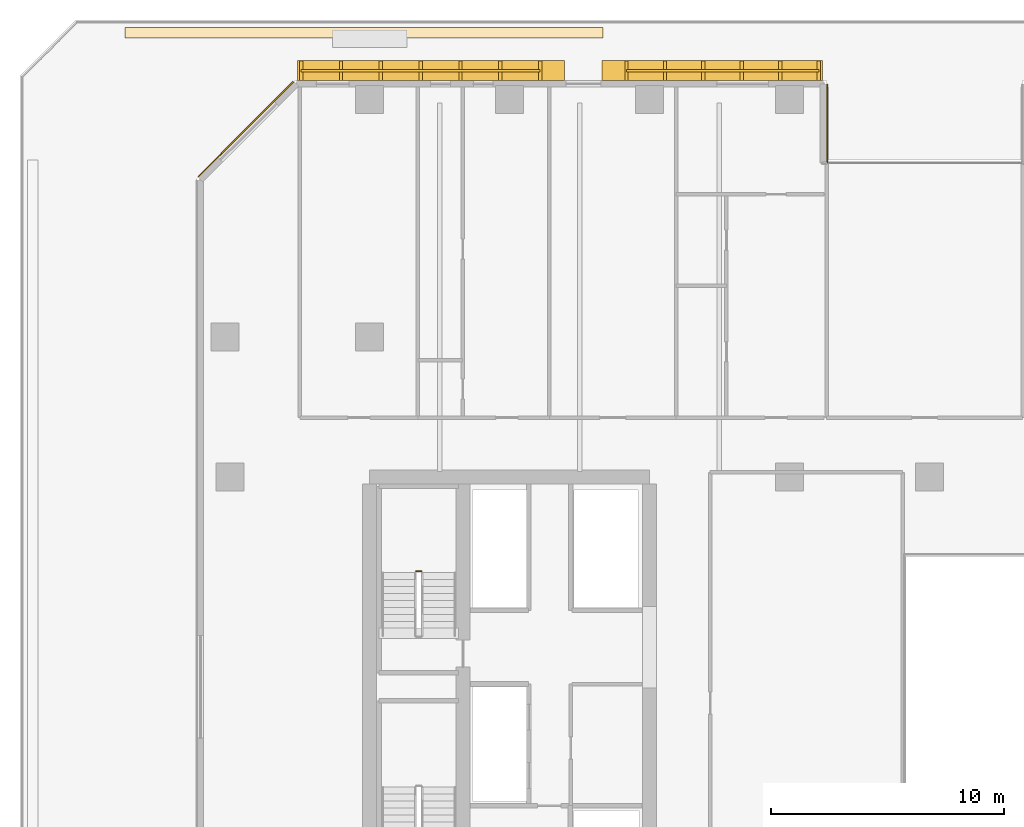
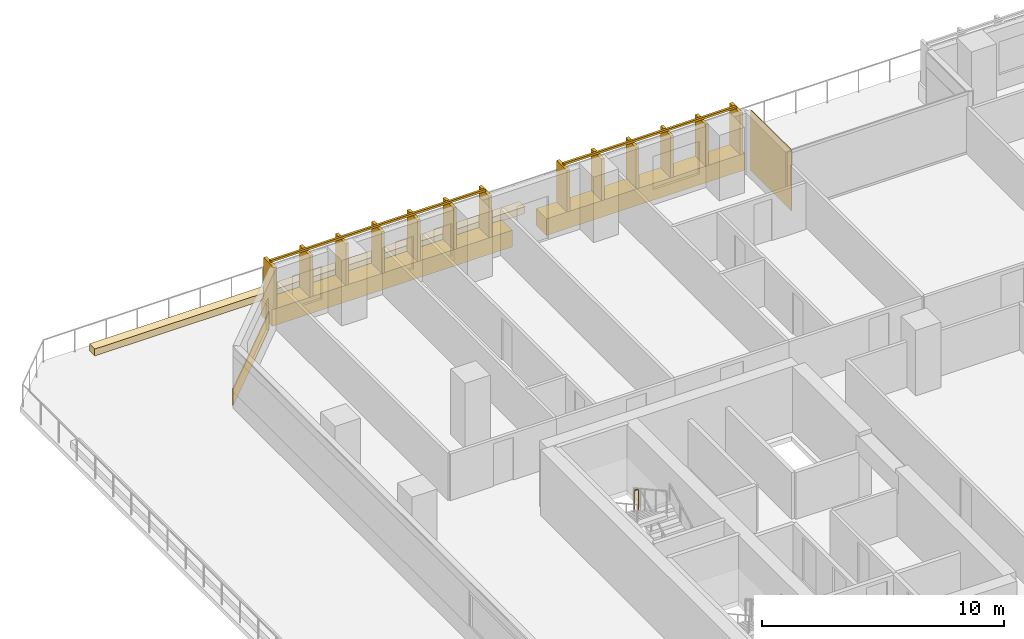
# One storey, part 18 of 23: 5 coverings, 3 railings.
"""IFC4 building model written with IfcOpenShell, lengths in metres."""

import ifcopenshell
import ifcopenshell.guid

model = None  # the IFC model being written
_history = None  # IfcOwnerHistory: only IFC2X3 demands one
_inside = {}  # id of a spatial element -> (the spatial element, [elements in it])
_under = {}  # id of a project, library or spatial element -> (it, [spatial elements below it])
_declared = {}  # id of a project -> (the project, [libraries it declares])
_typed = {}  # id of a type object -> (the type object, [elements of that type])
_made_of = {}  # id of a material, layer set ... -> (it, [elements and type objects made of it])


def new_model(schema):
    """Start an empty IFC model of exactly this schema.

    Asked for "IFC4X3", IfcOpenShell would pick the latest addendum, in which some entities
    have other attributes; the version numbers below select the first issue.
    IFC2X3 requires an IfcOwnerHistory on every rooted entity: one is made here for all.
    """
    global model, _history
    if schema == "IFC4X3":
        model = ifcopenshell.file(schema_version=(4, 3, 0, 0))
    else:
        model = ifcopenshell.file(schema=schema)
    _inside.clear()
    _under.clear()
    _declared.clear()
    _typed.clear()
    _made_of.clear()
    _history = None
    if model.schema == "IFC2X3":
        org = make("IfcOrganization", Name="unknown")
        user = make(
            "IfcPersonAndOrganization",
            ThePerson=make("IfcPerson", FamilyName="unknown"),
            TheOrganization=org,
        )
        app = make(
            "IfcApplication",
            ApplicationDeveloper=org,
            Version="unknown",
            ApplicationFullName="unknown",
            ApplicationIdentifier="unknown",
        )
        _history = make(
            "IfcOwnerHistory",
            OwningUser=user,
            OwningApplication=app,
            ChangeAction="ADDED",
            CreationDate=0,
        )
    return model


def make(cls, **values):
    """One entity of the class cls with the attributes given. An attribute that is None is left unset."""
    return model.create_entity(
        cls, **{name: value for name, value in values.items() if value is not None}
    )


def rooted(cls, **values):
    """An entity with a GlobalId (a new one), such as an element, a storey or a relation."""
    return make(cls, GlobalId=ifcopenshell.guid.new(), OwnerHistory=_history, **values)


def si_unit(unit_type, name, prefix=None):
    """IfcSIUnit, for example si_unit("LENGTHUNIT", "METRE", prefix="MILLI")."""
    return make("IfcSIUnit", UnitType=unit_type, Prefix=prefix, Name=name)


def assignment(units):
    """IfcUnitAssignment: the units of a project."""
    return None if units is None else make("IfcUnitAssignment", Units=units)


def point(xyz):
    """IfcCartesianPoint."""
    return None if xyz is None else make("IfcCartesianPoint", Coordinates=xyz)


def direction(xyz):
    """IfcDirection."""
    return None if xyz is None else make("IfcDirection", DirectionRatios=xyz)


def frame(location, z_axis=None, x_axis=None):
    """IfcAxis2Placement3D, a coordinate frame: its origin and axes. An axis left out is left unset."""
    return make(
        "IfcAxis2Placement3D",
        Location=point(location),
        Axis=direction(z_axis),
        RefDirection=direction(x_axis),
    )


def frame_2d(location, x_axis=None):
    """IfcAxis2Placement2D, a coordinate frame in the plane: its origin and x axis."""
    return make(
        "IfcAxis2Placement2D", Location=point(location), RefDirection=direction(x_axis)
    )


def origin():
    """The frame at (0, 0, 0) with its axes left unset."""
    return frame((0.0, 0.0, 0.0))


def origin_2d():
    """The frame at (0, 0) in the plane with its x axis left unset."""
    return frame_2d((0.0, 0.0))


def place(relative_to, where):
    """IfcLocalPlacement: puts the frame where relative to a parent placement (None: the world)."""
    return make(
        "IfcLocalPlacement", PlacementRelTo=relative_to, RelativePlacement=where
    )


def context(
    kind, dimensions, precision=None, world=None, true_north=None, identifier=None
):
    """IfcGeometricRepresentationContext, for example the 3D "Model" context."""
    return make(
        "IfcGeometricRepresentationContext",
        ContextIdentifier=identifier,
        ContextType=kind,
        CoordinateSpaceDimension=dimensions,
        Precision=precision,
        WorldCoordinateSystem=world,
        TrueNorth=true_north,
    )


def subcontext(parent, identifier, kind, view, scale=None):
    """IfcGeometricRepresentationSubContext, for example "Body" below "Model"."""
    return make(
        "IfcGeometricRepresentationSubContext",
        ContextIdentifier=identifier,
        ContextType=kind,
        ParentContext=parent,
        TargetScale=scale,
        TargetView=view,
    )


def project(units=None, contexts=None):
    """IfcProject with its units and contexts."""
    return rooted(
        "IfcProject",
        Name="project",
        RepresentationContexts=contexts,
        UnitsInContext=assignment(units),
    )


def spatial(cls, under=None, at=None, **own):
    """A site, building, storey or space (cls), placed at a placement, below another one or the project."""
    s = rooted(cls, ObjectPlacement=at, **own)
    if under is not None:
        _under.setdefault(under.id(), (under, []))[1].append(s)
    return s


def polyline(points):
    """IfcPolyline through the points."""
    return make("IfcPolyline", Points=[point(p) for p in points])


def profile(cls, at=None, kind="AREA", **sizes):
    """A parametric profile (cls). Its sizes go by their IFC names, for example OverallWidth=200.0."""
    return make(cls, ProfileType=kind, Position=at, **sizes)


def rectangle(**sizes):
    """IfcRectangleProfileDef."""
    return profile("IfcRectangleProfileDef", **sizes)


def outline(outer, holes=None, kind="AREA"):
    """IfcArbitraryClosedProfileDef: a profile drawn as a closed curve; with holes, ...WithVoids."""
    if holes is None:
        return make("IfcArbitraryClosedProfileDef", ProfileType=kind, OuterCurve=outer)
    return make(
        "IfcArbitraryProfileDefWithVoids",
        ProfileType=kind,
        OuterCurve=outer,
        InnerCurves=holes,
    )


def extrude(swept, where, along, depth):
    """IfcExtrudedAreaSolid: the profile swept, set in the frame where, extruded along a direction by depth."""
    return make(
        "IfcExtrudedAreaSolid",
        SweptArea=swept,
        Position=where,
        ExtrudedDirection=direction(along),
        Depth=depth,
    )


def shape(context_of_items, identifier, shape_type, items):
    """IfcShapeRepresentation: the items that make up one representation, for example the "Body"."""
    return make(
        "IfcShapeRepresentation",
        ContextOfItems=context_of_items,
        RepresentationIdentifier=identifier,
        RepresentationType=shape_type,
        Items=items,
    )


def material(Name=None, Category=None):
    """IfcMaterial."""
    return make("IfcMaterial", Name=Name, Category=Category)


def layer(
    of_material, thickness, ventilated=None, Name=None, Category=None, Priority=None
):
    """IfcMaterialLayer: one layer of a wall or slab, of a material (None: an air gap)."""
    return make(
        "IfcMaterialLayer",
        Material=of_material,
        LayerThickness=thickness,
        IsVentilated=ventilated,
        Name=Name,
        Category=Category,
        Priority=Priority,
    )


def layer_set(layers, Name=None):
    """IfcMaterialLayerSet."""
    return make("IfcMaterialLayerSet", MaterialLayers=layers, LayerSetName=Name)


def made_of(thing, what):
    """Note that an element or type object is made of a material, layer set ...; save() writes the relation."""
    if what is not None:
        _made_of.setdefault(what.id(), (what, []))[1].append(thing)
    return thing


def type_object(cls, material=None, **own):
    """A type object (cls), such as IfcWallType, which elements share."""
    return made_of(rooted(cls, **own), material)


def element(
    cls,
    number,
    at=None,
    inside=None,
    cuts=None,
    type_object=None,
    material=None,
    context=None,
    identifier="Body",
    shape_type=None,
    held_by="IfcProductDefinitionShape",
    body=None,
    shapes=None,
    **own,
):
    """One element of the class cls, such as IfcWall. Its Tag is "e" and its number.

    at: its placement. inside: the storey or other place that contains it. cuts: it is an
    opening in that element (IfcRelVoidsElement). A single representation is given by context,
    identifier, shape_type and body (its items); several are given by shapes. held_by: the class
    of the entity that holds the representations. save() writes the other relations.
    """
    e = rooted(cls, Tag="e%d" % number, ObjectPlacement=at, **own)
    if body is not None:
        shapes = [shape(context, identifier, shape_type, body)]
    if shapes is not None:
        e.Representation = make(held_by, Representations=shapes)
    if inside is not None:
        _inside.setdefault(inside.id(), (inside, []))[1].append(e)
    if cuts is not None:
        rooted(
            "IfcRelVoidsElement", RelatingBuildingElement=cuts, RelatedOpeningElement=e
        )
    if type_object is not None:
        _typed.setdefault(type_object.id(), (type_object, []))[1].append(e)
    return made_of(e, material)


def aggregate(whole, parts):
    """IfcRelAggregates: a whole, such as a stair, and the parts it consists of."""
    return rooted("IfcRelAggregates", RelatingObject=whole, RelatedObjects=parts)


def save(model, path):
    """Write the relations noted so far, then the file.

    IfcRelAggregates (storeys below a building ...), IfcRelContainedInSpatialStructure (elements
    in a storey), IfcRelDefinesByType, IfcRelAssociatesMaterial and IfcRelDeclares: one each for
    every whole, place, type object, material and project.
    """
    for whole, parts in _under.values():
        aggregate(whole, parts)
    for where, things in _inside.values():
        rooted(
            "IfcRelContainedInSpatialStructure",
            RelatedElements=things,
            RelatingStructure=where,
        )
    for kind, things in _typed.values():
        rooted("IfcRelDefinesByType", RelatedObjects=things, RelatingType=kind)
    for what, things in _made_of.values():
        rooted("IfcRelAssociatesMaterial", RelatedObjects=things, RelatingMaterial=what)
    for by, libraries in _declared.values():
        rooted("IfcRelDeclares", RelatingContext=by, RelatedDefinitions=libraries)
    model.write(path)


model = new_model("IFC4")

# Units and contexts
model_context = context("Model", 3, precision=1e-05, world=origin(), true_north=direction((0.0, 1.0)))
body_context = subcontext(model_context, "Body", "Model", "MODEL_VIEW")
ifc_project = project(units=[si_unit("LENGTHUNIT", "METRE"), si_unit("AREAUNIT", "SQUARE_METRE"), si_unit("VOLUMEUNIT", "CUBIC_METRE"), si_unit("PLANEANGLEUNIT", "RADIAN"), si_unit("MASSUNIT", "GRAM", prefix="KILO")], contexts=[model_context])

# Site, building, storey
site_placement = place(None, origin())
site = spatial("IfcSite", under=ifc_project, at=site_placement, CompositionType="ELEMENT")
building_placement = place(site_placement, origin())
building = spatial("IfcBuilding", under=site, at=building_placement, Name="Tanjung Sevakor Pilgrim Tower", CompositionType="ELEMENT")
storey_placement = place(building_placement, frame((0.0, 0.0, 29.0400390625)))
storey = spatial("IfcBuildingStorey", under=building, at=storey_placement, Name="L07", CompositionType="ELEMENT", Elevation=29.0400390625)

# Coverings
ifc_material_1 = material(Name="Reconstructed Limestone Cladding", Category="masonry")
ifc_layer_1 = layer(ifc_material_1, 0.044921875)
ifc_layer_set_1 = layer_set([ifc_layer_1], Name="COV-CLAD-LIMESTONE")
covering_type_1 = type_object("IfcCoveringType", Name="COV-CLAD-LIMESTONE", PredefinedType="CLADDING", material=ifc_layer_set_1)
covering_1_placement = place(storey_placement, frame((43.62255859375, 57.760009765625, 0.02001953125), z_axis=(0.0, 0.0, 1.0), x_axis=(0.0, 1.0, 0.0)))
element("IfcCovering", 1, at=covering_1_placement, inside=storey, type_object=covering_type_1, Name="L07 Warm Limestone Wall Cladding EW-L07-MAIN-12", PredefinedType="CLADDING", context=body_context, shape_type="SweptSolid", body=[
    extrude(rectangle(XDim=3.360107421875, YDim=0.044921875, at=origin_2d()), origin(), (0.0, 0.0, 1.0), 3.0400390625),
])
covering_2_placement = place(storey_placement, frame((38.694580078125, 60.030029296875, 0.009765625), z_axis=(0.0, 0.0, 1.0), x_axis=(-1.0, 0.0, 0.0)))
element("IfcCovering", 2, at=covering_2_placement, inside=storey, type_object=covering_type_1, Name="L07 Warm Limestone Sill Spandrel EW-L07-MAIN-13-1", PredefinedType="CLADDING", context=body_context, shape_type="SweptSolid", body=[
    extrude(rectangle(XDim=9.450927734375, YDim=0.860107421875, at=origin_2d()), origin(), (0.0, 0.0, 1.0), 0.840087890625),
])
covering_3_placement = place(storey_placement, frame((26.62353515625, 60.030029296875, 0.009765625), z_axis=(0.0, 0.0, 1.0), x_axis=(-1.0, 0.0, 0.0)))
element("IfcCovering", 3, at=covering_3_placement, inside=storey, type_object=covering_type_1, Name="L07 Warm Limestone Sill Spandrel EW-L07-MAIN-13-2", PredefinedType="CLADDING", context=body_context, shape_type="SweptSolid", body=[
    extrude(rectangle(XDim=11.450927734375, YDim=0.860107421875, at=origin_2d()), origin(), (0.0, 0.0, 1.0), 0.840087890625),
])
covering_4_placement = place(storey_placement, frame((18.68408203125, 57.515869140625, 0.009765625), z_axis=(0.0, 0.0, 1.0), x_axis=(-0.707106781187, -0.707106781187, 0.0)))
element("IfcCovering", 4, at=covering_4_placement, inside=storey, type_object=covering_type_1, Name="L07 Warm Limestone Sill Spandrel EW-CHM-L07-MAIN-13-1", PredefinedType="CLADDING", context=body_context, shape_type="SweptSolid", body=[
    extrude(rectangle(XDim=5.74365234375, YDim=0.044921875, at=origin_2d()), origin(), (0.0, 0.0, 1.0), 0.840087890625),
])
ifc_material_2 = material(Name="Vegetated Modular Planter Assembly", Category="organic")
ifc_layer_2 = layer(ifc_material_2, 0.35009765625)
ifc_layer_set_2 = layer_set([ifc_layer_2], Name="COV-GRN-TROUGH")
covering_type_2 = type_object("IfcCoveringType", Name="COV-GRN-TROUGH", PredefinedType="CLADDING", material=ifc_layer_set_2)
covering_5_placement = place(storey_placement, origin())
element("IfcCovering", 5, at=covering_5_placement, inside=storey, type_object=covering_type_2, Name="L07 Planted Landscape Hedge Trough PGRN-L07-NW", PredefinedType="CLADDING", context=body_context, shape_type="SweptSolid", body=[
    extrude(outline(polyline([(13.5, 61.429931640625), (34.0, 61.429931640625), (34.0, 61.8701171875), (13.5, 61.8701171875), (13.5, 61.429931640625)])), origin(), (0.0, 0.0, 1.0), 0.349853515625),
])

# Railings
ifc_material_3 = material(Name="Anodised Bronze Aluminium 6063-T6", Category="aluminium")
railing_type_1 = type_object("IfcRailingType", Name="RL-FIN-SCREEN", PredefinedType="BALUSTRADE", material=ifc_material_3)
railing_1_placement = place(storey_placement, frame((43.260009765625, 60.02490234375, 0.83984375)))
element("IfcRailing", 6, at=railing_1_placement, inside=storey, type_object=railing_type_1, Name="L07 Vertical Bronze-Gold Solar Fin Screen FNSCR-EW-L07-MAIN-13-1", PredefinedType="BALUSTRADE", context=body_context, shape_type="SweptSolid", body=[
    extrude(rectangle(XDim=0.105, YDim=0.105), frame((0.0, 0.0, 2.157470703125), z_axis=(-1.0, 0.0, 0.0), x_axis=(0.0, -1.0, 0.0)), (0.0, 0.0, 1.0), 8.2509765625),
    extrude(rectangle(XDim=0.14, YDim=0.85), origin(), (0.0, 0.0, 1.0), 2.10498046875),
    extrude(rectangle(XDim=0.14, YDim=0.85), frame((-1.650146484375, 0.0, 0.0)), (0.0, 0.0, 1.0), 2.10498046875),
    extrude(rectangle(XDim=0.14, YDim=0.85), frame((-3.30029296875, 0.0, 0.0)), (0.0, 0.0, 1.0), 2.10498046875),
    extrude(rectangle(XDim=0.14, YDim=0.85), frame((-4.95068359375, 0.0, 0.0)), (0.0, 0.0, 1.0), 2.10498046875),
    extrude(rectangle(XDim=0.14, YDim=0.85), frame((-6.600830078125, 0.0, 0.0)), (0.0, 0.0, 1.0), 2.10498046875),
    extrude(rectangle(XDim=0.14, YDim=0.85), frame((-8.2509765625, 0.0, 0.0)), (0.0, 0.0, 1.0), 2.10498046875),
])
railing_2_placement = place(storey_placement, frame((31.30908203125, 60.02490234375, 0.83984375)))
element("IfcRailing", 7, at=railing_2_placement, inside=storey, type_object=railing_type_1, Name="L07 Vertical Bronze-Gold Solar Fin Screen FNSCR-EW-L07-MAIN-13-2", PredefinedType="BALUSTRADE", context=body_context, shape_type="SweptSolid", body=[
    extrude(rectangle(XDim=0.105, YDim=0.105), frame((0.0, 0.0, 2.157470703125), z_axis=(-1.0, 0.0, 0.0), x_axis=(0.0, -1.0, 0.0)), (0.0, 0.0, 1.0), 10.2509765625),
    extrude(rectangle(XDim=0.14, YDim=0.85), origin(), (0.0, 0.0, 1.0), 2.10498046875),
    extrude(rectangle(XDim=0.14, YDim=0.85), frame((-1.70849609375, 0.0, 0.0)), (0.0, 0.0, 1.0), 2.10498046875),
    extrude(rectangle(XDim=0.14, YDim=0.85), frame((-3.4169921875, 0.0, 0.0)), (0.0, 0.0, 1.0), 2.10498046875),
    extrude(rectangle(XDim=0.14, YDim=0.85), frame((-5.12548828125, 0.0, 0.0)), (0.0, 0.0, 1.0), 2.10498046875),
    extrude(rectangle(XDim=0.14, YDim=0.85), frame((-6.833984375, 0.0, 0.0)), (0.0, 0.0, 1.0), 2.10498046875),
    extrude(rectangle(XDim=0.14, YDim=0.85), frame((-8.54248046875, 0.0, 0.0)), (0.0, 0.0, 1.0), 2.10498046875),
    extrude(rectangle(XDim=0.14, YDim=0.85), frame((-10.2509765625, 0.0, 0.0)), (0.0, 0.0, 1.0), 2.10498046875),
])
ifc_material_4 = material(Name="Steel S355J2", Category="steel")
railing_type_2 = type_object("IfcRailingType", Name="RL-STAIR-GUARD", PredefinedType="GUARDRAIL", material=ifc_material_4)
railing_3_placement = place(storey_placement, frame((26.199951171875, 38.550048828125, 1.64990234375)))
element("IfcRailing", 8, at=railing_3_placement, inside=storey, type_object=railing_type_2, Name="L07 TS-W2 stair guard 2", PredefinedType="GUARDRAIL", context=body_context, shape_type="SweptSolid", body=[
    extrude(rectangle(XDim=0.0479, YDim=0.0479), frame((0.0, 0.0, 1.076171875), z_axis=(-1.0, 0.0, 0.0), x_axis=(0.0, -1.0, 0.0)), (0.0, 0.0, 1.0), 0.199951171875),
    extrude(rectangle(XDim=0.042, YDim=0.042), origin(), (0.0, 0.0, 1.0), 1.052001953125),
    extrude(rectangle(XDim=0.042, YDim=0.042), frame((-0.199951171875, 0.0, 0.0)), (0.0, 0.0, 1.0), 1.052001953125),
])

save(model, "model.ifc")
